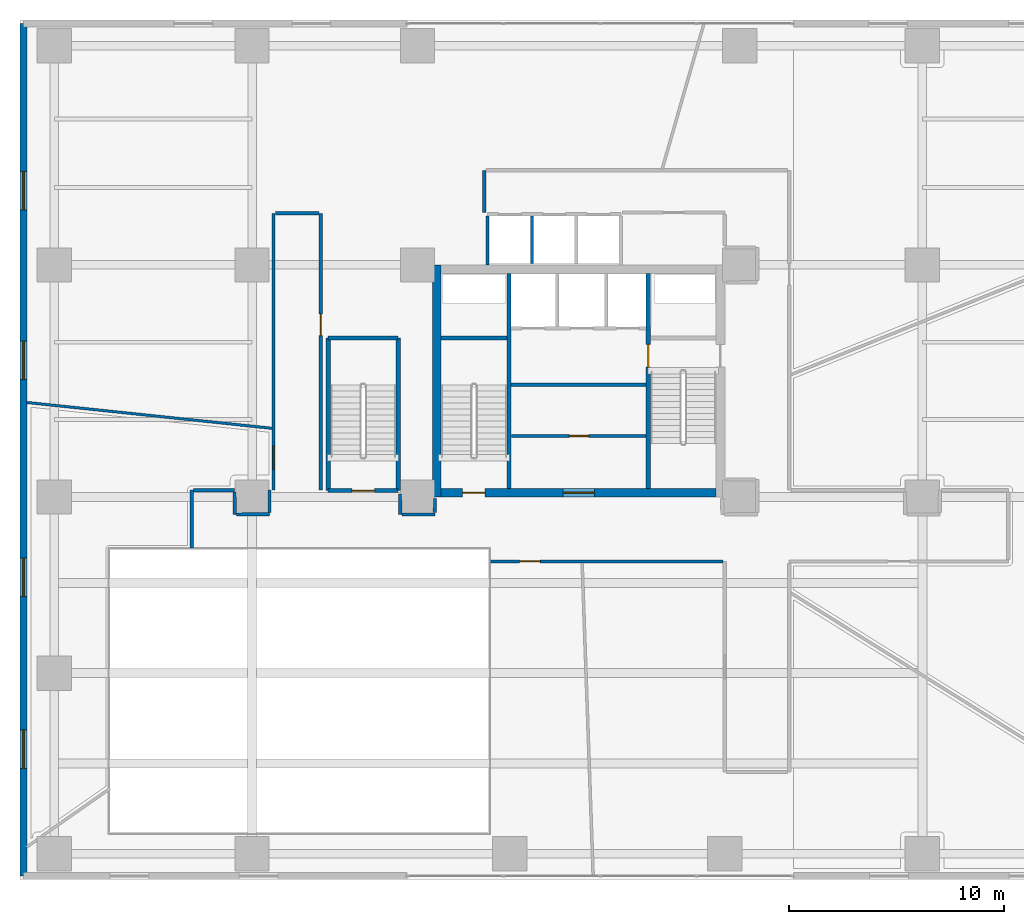
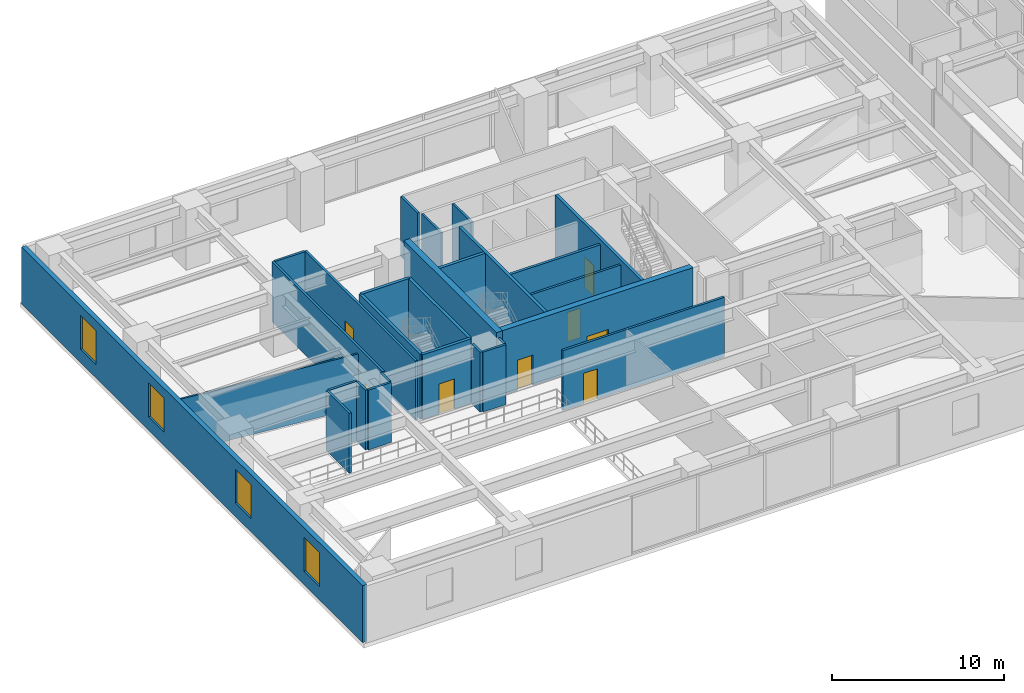
# One storey, part 17 of 25: 28 walls, 8 doors, 4 windows, 12 openings.
"""IFC4 building model written with IfcOpenShell, lengths in metres."""

from ifc_helpers import new_model, si_unit, direction, frame, frame_2d, origin, place, context, subcontext, project, spatial, rectangle, extrude, source, transform, mapped, material, layer, layer_set, type_object, type_shapes, element, fill, save


model = new_model("IFC4")

# Units and contexts
model_context = context("Model", 3, precision=1e-05, world=origin(), true_north=direction((0.0, 1.0)))
body_context = subcontext(model_context, "Body", "Model", "MODEL_VIEW")
ifc_project = project(units=[si_unit("LENGTHUNIT", "METRE"), si_unit("AREAUNIT", "SQUARE_METRE"), si_unit("VOLUMEUNIT", "CUBIC_METRE"), si_unit("PLANEANGLEUNIT", "RADIAN"), si_unit("MASSUNIT", "GRAM", prefix="KILO")], contexts=[model_context])

# Site, building, storey
site_placement = place(None, origin())
site = spatial("IfcSite", under=ifc_project, at=site_placement, CompositionType="ELEMENT")
building_placement = place(site_placement, origin())
building = spatial("IfcBuilding", under=site, at=building_placement, Name="Talar Marvaseh", CompositionType="ELEMENT")
storey_placement = place(building_placement, frame((0.0, 0.0, 14.39990234375)))
storey = spatial("IfcBuildingStorey", under=building, at=storey_placement, Name="L03", CompositionType="ELEMENT", Elevation=14.39990234375)

# Wall, openings, windows
ifc_material_1 = material(Name="Precast concrete C45/55", Category="concrete")
ifc_layer_1 = layer(ifc_material_1, 0.31005859375)
ifc_layer_set_1 = layer_set([ifc_layer_1], Name="Precast concrete C45/55")
wall_type_1 = type_object("IfcWallType", Name="Architectural Precast Limestone Podium Facade Wall 310", PredefinedType="SOLIDWALL", material=ifc_layer_set_1)
wall_1_placement = place(storey_placement, frame((0.159912109375, 8.159912109375, 0.0), z_axis=(0.0, 0.0, 1.0), x_axis=(0.0, 1.0, 0.0)))
wall_1 = element("IfcWall", 1, at=wall_1_placement, inside=storey, type_object=wall_type_1, Name="L03 Podium West Facade Wall", PredefinedType="SOLIDWALL", context=body_context, shape_type="SweptSolid", body=[
    extrude(rectangle(XDim=39.68017578125, YDim=0.31005859375, at=frame_2d((19.840087890625, 0.0))), origin(), (0.0, 0.0, 1.0), 4.050048828125),
])
opening_1_placement = place(wall_1_placement, frame((5.0, 0.0, 0.949951171875)))
opening_1 = element("IfcOpeningElement", 2, at=opening_1_placement, cuts=wall_1, Name="Opening WN-POD18", PredefinedType="OPENING", context=body_context, shape_type="SweptSolid", body=[
    extrude(rectangle(XDim=1.800048828125, YDim=2.39990234375, at=frame_2d((0.89990234375, 1.199951171875))), frame((0.0, 0.1650390625, 0.0), z_axis=(0.0, -1.0, 0.0), x_axis=(1.0, 0.0, 0.0)), (0.0, 0.0, 1.0), 0.330078125),
])
opening_2_placement = place(wall_1_placement, frame((13.0, 0.0, 0.949951171875)))
opening_2 = element("IfcOpeningElement", 3, at=opening_2_placement, cuts=wall_1, Name="Opening WN-POD18", PredefinedType="OPENING", context=body_context, shape_type="SweptSolid", body=[
    extrude(rectangle(XDim=1.800048828125, YDim=2.39990234375, at=frame_2d((0.89990234375, 1.199951171875))), frame((0.0, 0.1650390625, 0.0), z_axis=(0.0, -1.0, 0.0), x_axis=(1.0, 0.0, 0.0)), (0.0, 0.0, 1.0), 0.330078125),
])
opening_3_placement = place(wall_1_placement, frame((23.10009765625, 0.0, 0.949951171875)))
opening_3 = element("IfcOpeningElement", 4, at=opening_3_placement, cuts=wall_1, Name="Opening WN-POD18", PredefinedType="OPENING", context=body_context, shape_type="SweptSolid", body=[
    extrude(rectangle(XDim=1.800048828125, YDim=2.39990234375, at=frame_2d((0.89990234375, 1.199951171875))), frame((0.0, 0.1650390625, 0.0), z_axis=(0.0, -1.0, 0.0), x_axis=(1.0, 0.0, 0.0)), (0.0, 0.0, 1.0), 0.330078125),
])
opening_4_placement = place(wall_1_placement, frame((31.0, 0.0, 0.949951171875)))
opening_4 = element("IfcOpeningElement", 5, at=opening_4_placement, cuts=wall_1, Name="Opening WN-POD18", PredefinedType="OPENING", context=body_context, shape_type="SweptSolid", body=[
    extrude(rectangle(XDim=1.800048828125, YDim=2.39990234375, at=frame_2d((0.89990234375, 1.199951171875))), frame((0.0, 0.1650390625, 0.0), z_axis=(0.0, -1.0, 0.0), x_axis=(1.0, 0.0, 0.0)), (0.0, 0.0, 1.0), 0.330078125),
])
ifc_material_2 = material(Name="Laminated Low-E Solar Glass", Category="glass")
window_type = type_object("IfcWindowType", Name="Podium Recessed Punched Solar Window 1800x2400", PartitioningType="SINGLE_PANEL", PredefinedType="WINDOW", material=ifc_material_2)
shared_shape_1 = source(origin(), body_context, "Body", "SweptSolid", [
    extrude(rectangle(XDim=1.800048828125, YDim=2.39990234375, at=frame_2d((0.89990234375, 1.199951171875))), frame((0.0, 0.030029296875, 0.0), z_axis=(0.0, -1.0, 0.0), x_axis=(1.0, 0.0, 0.0)), (0.0, 0.0, 1.0), 0.06005859375),
])
type_shapes(window_type, [shared_shape_1])
window_1_placement = place(opening_1_placement, origin())
window_1 = element("IfcWindow", 6, at=window_1_placement, inside=storey, type_object=window_type, Name="L03 Podium Solar Window", OverallHeight=2.39990234375, OverallWidth=1.800048828125, PartitioningType="SINGLE_PANEL", PredefinedType="WINDOW", context=body_context, shape_type="MappedRepresentation", body=[
    mapped(shared_shape_1, transform((0.0, 0.0, 0.0), x_axis=(1.0, 0.0, 0.0), y_axis=(0.0, 1.0, 0.0), z_axis=(0.0, 0.0, 1.0), scale=1.0)),
])
fill(opening_1, window_1)
window_2_placement = place(opening_2_placement, origin())
window_2 = element("IfcWindow", 7, at=window_2_placement, inside=storey, type_object=window_type, Name="L03 Podium Solar Window", OverallHeight=2.39990234375, OverallWidth=1.800048828125, PartitioningType="SINGLE_PANEL", PredefinedType="WINDOW", context=body_context, shape_type="MappedRepresentation", body=[
    mapped(shared_shape_1, transform((0.0, 0.0, 0.0), x_axis=(1.0, 0.0, 0.0), y_axis=(0.0, 1.0, 0.0), z_axis=(0.0, 0.0, 1.0), scale=1.0)),
])
fill(opening_2, window_2)
window_3_placement = place(opening_3_placement, origin())
window_3 = element("IfcWindow", 8, at=window_3_placement, inside=storey, type_object=window_type, Name="L03 Podium Solar Window", OverallHeight=2.39990234375, OverallWidth=1.800048828125, PartitioningType="SINGLE_PANEL", PredefinedType="WINDOW", context=body_context, shape_type="MappedRepresentation", body=[
    mapped(shared_shape_1, transform((0.0, 0.0, 0.0), x_axis=(1.0, 0.0, 0.0), y_axis=(0.0, 1.0, 0.0), z_axis=(0.0, 0.0, 1.0), scale=1.0)),
])
fill(opening_3, window_3)
window_4_placement = place(opening_4_placement, origin())
window_4 = element("IfcWindow", 9, at=window_4_placement, inside=storey, type_object=window_type, Name="L03 Podium Solar Window", OverallHeight=2.39990234375, OverallWidth=1.800048828125, PartitioningType="SINGLE_PANEL", PredefinedType="WINDOW", context=body_context, shape_type="MappedRepresentation", body=[
    mapped(shared_shape_1, transform((0.0, 0.0, 0.0), x_axis=(1.0, 0.0, 0.0), y_axis=(0.0, 1.0, 0.0), z_axis=(0.0, 0.0, 1.0), scale=1.0)),
])
fill(opening_4, window_4)

# Wall, opening, door
ifc_material_3 = material(Name="Gypsum Board Partition Assembly")
ifc_layer_2 = layer(ifc_material_3, 0.155029296875)
ifc_layer_set_2 = layer_set([ifc_layer_2], Name="Gypsum Board Partition Assembly")
wall_type_2 = type_object("IfcWallType", Name="Corridor Fire-Rated Acoustic Partition 155", PredefinedType="PARTITIONING", material=ifc_layer_set_2)
wall_2_placement = place(storey_placement, frame((22.865966796875, 28.639892578125, 0.0), z_axis=(0.0, 0.0, 1.0), x_axis=(1.0, 0.0, 0.0)))
wall_2 = element("IfcWall", 10, at=wall_2_placement, inside=storey, type_object=wall_type_2, Name="L03 Core BOH Partition", PredefinedType="PARTITIONING", context=body_context, shape_type="SweptSolid", body=[
    extrude(rectangle(XDim=6.26806640625, YDim=0.155029296875, at=frame_2d((3.134033203125, 0.0))), origin(), (0.0, 0.0, 1.0), 4.25),
])
opening_5_placement = place(wall_2_placement, frame((2.699951171875, 0.0, 0.0)))
opening_5 = element("IfcOpeningElement", 11, at=opening_5_placement, cuts=wall_2, Name="Opening DR-BOH090", PredefinedType="OPENING", context=body_context, shape_type="SweptSolid", body=[
    extrude(rectangle(XDim=0.89990234375, YDim=2.10009765625, at=frame_2d((0.449951171875, 1.050048828125))), frame((0.0, 0.08740234375, 0.0), z_axis=(0.0, -1.0, 0.0), x_axis=(1.0, 0.0, 0.0)), (0.0, 0.0, 1.0), 0.175048828125),
])
ifc_material_4 = material(Name="Fire-Rated Steel Door Leaf", Category="steel")
door_type_1 = type_object("IfcDoorType", Name="Core Back-of-House Service Door 900x2100", OperationType="NOTDEFINED", PredefinedType="DOOR", material=ifc_material_4)
shared_shape_2 = source(origin(), body_context, "Body", "SweptSolid", [
    extrude(rectangle(XDim=0.89990234375, YDim=2.10009765625, at=frame_2d((0.449951171875, 1.050048828125))), frame((0.0, 0.02490234375, 0.0), z_axis=(0.0, -1.0, 0.0), x_axis=(1.0, 0.0, 0.0)), (0.0, 0.0, 1.0), 0.050048828125),
])
type_shapes(door_type_1, [shared_shape_2])
door_1_placement = place(opening_5_placement, origin())
door_1 = element("IfcDoor", 12, at=door_1_placement, inside=storey, type_object=door_type_1, Name="L03 Store Core Central Archive Door", OperationType="SINGLE_SWING_LEFT", OverallHeight=2.10009765625, OverallWidth=0.89990234375, PredefinedType="DOOR", context=body_context, shape_type="MappedRepresentation", body=[
    mapped(shared_shape_2, transform((0.0, 0.0, 0.0), x_axis=(1.0, 0.0, 0.0), y_axis=(0.0, 1.0, 0.0), z_axis=(0.0, 0.0, 1.0), scale=1.0)),
])
fill(opening_5, door_1)

wall_3_placement = place(storey_placement, frame((32.716552734375, 22.800048828125, 0.0), z_axis=(0.0, 0.0, 1.0), x_axis=(-1.0, 0.0, 0.0)))
wall_3 = element("IfcWall", 13, at=wall_3_placement, inside=storey, type_object=wall_type_2, Name="L03 Interior Partition Wall", PredefinedType="PARTITIONING", context=body_context, shape_type="SweptSolid", body=[
    extrude(rectangle(XDim=10.846435546875, YDim=0.155029296875, at=frame_2d((5.42333984375, 0.0))), origin(), (0.0, 0.0, 1.0), 4.25),
])
opening_6_placement = place(wall_3_placement, frame((8.509033203125, 0.0, 0.0)))
opening_6 = element("IfcOpeningElement", 14, at=opening_6_placement, cuts=wall_3, Name="Opening DR-WC095", PredefinedType="OPENING", context=body_context, shape_type="SweptSolid", body=[
    extrude(rectangle(XDim=0.949951171875, YDim=2.14990234375, at=frame_2d((0.47509765625, 1.074951171875))), frame((0.0, 0.08740234375, 0.0), z_axis=(0.0, -1.0, 0.0), x_axis=(1.0, 0.0, 0.0)), (0.0, 0.0, 1.0), 0.175048828125),
])
ifc_material_5 = material(Name="Acoustic Engineered Oak Timber", Category="wood")
door_type_2 = type_object("IfcDoorType", Name="Washroom and Service Room Door 950x2150", OperationType="NOTDEFINED", PredefinedType="DOOR", material=ifc_material_5)
shared_shape_3 = source(origin(), body_context, "Body", "SweptSolid", [
    extrude(rectangle(XDim=0.949951171875, YDim=2.14990234375, at=frame_2d((0.47509765625, 1.074951171875))), frame((0.0, 0.02490234375, 0.0), z_axis=(0.0, -1.0, 0.0), x_axis=(1.0, 0.0, 0.0)), (0.0, 0.0, 1.0), 0.050048828125),
])
type_shapes(door_type_2, [shared_shape_3])
door_2_placement = place(opening_6_placement, origin())
door_2 = element("IfcDoor", 15, at=door_2_placement, inside=storey, type_object=door_type_2, Name="L03 Accessible WC Block Door", OperationType="SINGLE_SWING_LEFT", OverallHeight=2.14990234375, OverallWidth=0.949951171875, PredefinedType="DOOR", context=body_context, shape_type="MappedRepresentation", body=[
    mapped(shared_shape_3, transform((0.0, 0.0, 0.0), x_axis=(1.0, 0.0, 0.0), y_axis=(0.0, 1.0, 0.0), z_axis=(0.0, 0.0, 1.0), scale=1.0)),
])
fill(opening_6, door_2)

wall_4_placement = place(storey_placement, frame((11.800048828125, 26.1201171875, 0.0), z_axis=(0.0, 0.0, 1.0), x_axis=(0.0, 1.0, 0.0)))
wall_4 = element("IfcWall", 16, at=wall_4_placement, inside=storey, type_object=wall_type_2, Name="L03 Interior Partition Wall", PredefinedType="PARTITIONING", context=body_context, shape_type="SweptSolid", body=[
    extrude(rectangle(XDim=12.8798828125, YDim=0.155029296875, at=frame_2d((6.43994140625, 0.0))), origin(), (0.0, 0.0, 1.0), 4.25),
])
opening_7_placement = place(wall_4_placement, frame((0.95654296875, 0.0, 0.0)))
opening_7 = element("IfcOpeningElement", 17, at=opening_7_placement, cuts=wall_4, Name="Opening DR-RM110", PredefinedType="OPENING", context=body_context, shape_type="SweptSolid", body=[
    extrude(rectangle(XDim=1.10009765625, YDim=2.199951171875, at=frame_2d((0.550048828125, 1.10009765625))), frame((0.0, 0.08740234375, 0.0), z_axis=(0.0, -1.0, 0.0), x_axis=(1.0, 0.0, 0.0)), (0.0, 0.0, 1.0), 0.175048828125),
])
door_type_3 = type_object("IfcDoorType", Name="Assembly and Reading Hall Door 1100x2200", OperationType="NOTDEFINED", PredefinedType="DOOR", material=ifc_material_5)
shared_shape_4 = source(origin(), body_context, "Body", "SweptSolid", [
    extrude(rectangle(XDim=1.10009765625, YDim=2.199951171875, at=frame_2d((0.550048828125, 1.10009765625))), frame((0.0, 0.02490234375, 0.0), z_axis=(0.0, -1.0, 0.0), x_axis=(1.0, 0.0, 0.0)), (0.0, 0.0, 1.0), 0.050048828125),
])
type_shapes(door_type_3, [shared_shape_4])
door_3_placement = place(opening_7_placement, origin())
door_3 = element("IfcDoor", 18, at=door_3_placement, inside=storey, type_object=door_type_3, Name="L03 Persian Decorative Arts Gallery Door", OperationType="SINGLE_SWING_RIGHT", OverallHeight=2.199951171875, OverallWidth=1.10009765625, PredefinedType="DOOR", context=body_context, shape_type="MappedRepresentation", body=[
    mapped(shared_shape_4, transform((0.0, 0.0, 0.0), x_axis=(1.0, 0.0, 0.0), y_axis=(0.0, 1.0, 0.0), z_axis=(0.0, 0.0, 1.0), scale=1.0)),
])
fill(opening_7, door_3)

wall_5_placement = place(storey_placement, frame((14.0, 39.0, 0.0), z_axis=(0.0, 0.0, 1.0), x_axis=(0.0, -1.0, 0.0)))
wall_5 = element("IfcWall", 19, at=wall_5_placement, inside=storey, type_object=wall_type_2, Name="L03 Interior Partition Wall", PredefinedType="PARTITIONING", context=body_context, shape_type="SweptSolid", body=[
    extrude(rectangle(XDim=12.8798828125, YDim=0.155029296875, at=frame_2d((6.43994140625, 0.0))), origin(), (0.0, 0.0, 1.0), 4.25),
])
opening_8_placement = place(wall_5_placement, frame((4.689697265625, 0.0, 0.0)))
opening_8 = element("IfcOpeningElement", 20, at=opening_8_placement, cuts=wall_5, Name="Opening DR-RM100", PredefinedType="OPENING", context=body_context, shape_type="SweptSolid", body=[
    extrude(rectangle(XDim=1.0, YDim=2.14990234375, at=frame_2d((0.5, 1.074951171875))), frame((0.0, 0.08740234375, 0.0), z_axis=(0.0, -1.0, 0.0), x_axis=(1.0, 0.0, 0.0)), (0.0, 0.0, 1.0), 0.175048828125),
])
door_type_4 = type_object("IfcDoorType", Name="Corridor Fire-Rated Gallery Door 1000x2150", OperationType="NOTDEFINED", PredefinedType="DOOR", material=ifc_material_5)
shared_shape_5 = source(origin(), body_context, "Body", "SweptSolid", [
    extrude(rectangle(XDim=1.0, YDim=2.14990234375, at=frame_2d((0.5, 1.074951171875))), frame((0.0, 0.02490234375, 0.0), z_axis=(0.0, -1.0, 0.0), x_axis=(1.0, 0.0, 0.0)), (0.0, 0.0, 1.0), 0.050048828125),
])
type_shapes(door_type_4, [shared_shape_5])
door_4_placement = place(opening_8_placement, origin())
door_4 = element("IfcDoor", 21, at=door_4_placement, inside=storey, type_object=door_type_4, Name="L03 Curatorial Seminar Room Door", OperationType="SINGLE_SWING_RIGHT", OverallHeight=2.14990234375, OverallWidth=1.0, PredefinedType="DOOR", context=body_context, shape_type="MappedRepresentation", body=[
    mapped(shared_shape_5, transform((0.0, 0.0, 0.0), x_axis=(1.0, 0.0, 0.0), y_axis=(0.0, 1.0, 0.0), z_axis=(0.0, 0.0, 1.0), scale=1.0)),
])
fill(opening_8, door_4)

# Walls
wall_6_placement = place(storey_placement, frame((8.0, 23.419921875, 0.0), z_axis=(0.0, 0.0, 1.0), x_axis=(0.0, 1.0, 0.0)))
element("IfcWall", 22, at=wall_6_placement, inside=storey, type_object=wall_type_2, Name="L03 Interior Partition Wall", PredefinedType="PARTITIONING", context=body_context, shape_type="SweptSolid", body=[
    extrude(rectangle(XDim=2.7001953125, YDim=0.155029296875, at=frame_2d((1.35009765625, 0.0))), origin(), (0.0, 0.0, 1.0), 4.25),
])
wall_7_placement = place(storey_placement, frame((8.08349609375, 26.1201171875, 0.0), z_axis=(0.0, 0.0, 1.0), x_axis=(1.0, 0.0, 0.0)))
element("IfcWall", 23, at=wall_7_placement, inside=storey, type_object=wall_type_2, Name="L03 Interior Partition Wall", PredefinedType="PARTITIONING", context=body_context, shape_type="SweptSolid", body=[
    extrude(rectangle(XDim=1.901611328125, YDim=0.155029296875, at=frame_2d((0.95068359375, 0.0))), origin(), (0.0, 0.0, 1.0), 4.25),
])
wall_8_placement = place(storey_placement, frame((9.985595703125, 26.03662109375, 0.0), z_axis=(0.0, 0.0, 1.0), x_axis=(0.005817914102, -0.999983075795, 0.0)))
element("IfcWall", 24, at=wall_8_placement, inside=storey, type_object=wall_type_2, Name="L03 Interior Partition Wall", PredefinedType="PARTITIONING", context=body_context, shape_type="SweptSolid", body=[
    extrude(rectangle(XDim=1.049072265625, YDim=0.155029296875, at=frame_2d((0.5244140625, 0.0))), origin(), (0.0, 0.0, 1.0), 4.25),
])
wall_9_placement = place(storey_placement, frame((10.0751953125, 24.988037109375, 0.0), z_axis=(0.0, 0.0, 1.0), x_axis=(0.99998278709, 0.005867326851, 0.0)))
element("IfcWall", 25, at=wall_9_placement, inside=storey, type_object=wall_type_2, Name="L03 Interior Partition Wall", PredefinedType="PARTITIONING", context=body_context, shape_type="SweptSolid", body=[
    extrude(rectangle(XDim=1.53955078125, YDim=0.155029296875, at=frame_2d((0.769775390625, 0.0))), origin(), (0.0, 0.0, 1.0), 4.25),
])
wall_10_placement = place(storey_placement, frame((11.61474609375, 25.08056640625, 0.0), z_axis=(0.0, 0.0, 1.0), x_axis=(0.000234852037, 0.999999972422, 0.0)))
element("IfcWall", 26, at=wall_10_placement, inside=storey, type_object=wall_type_2, Name="L03 Interior Partition Wall", PredefinedType="PARTITIONING", context=body_context, shape_type="SweptSolid", body=[
    extrude(rectangle(XDim=1.03955078125, YDim=0.155029296875, at=frame_2d((0.519775390625, 0.0))), origin(), (0.0, 0.0, 1.0), 4.25),
])
wall_11_placement = place(storey_placement, frame((11.883544921875, 39.0, 0.0), z_axis=(0.0, 0.0, 1.0), x_axis=(1.0, 0.0, 0.0)))
element("IfcWall", 27, at=wall_11_placement, inside=storey, type_object=wall_type_2, Name="L03 Interior Partition Wall", PredefinedType="PARTITIONING", context=body_context, shape_type="SweptSolid", body=[
    extrude(rectangle(XDim=2.032958984375, YDim=0.155029296875, at=frame_2d((1.0166015625, 0.0))), origin(), (0.0, 0.0, 1.0), 4.25),
])
wall_12_placement = place(storey_placement, frame((17.68505859375, 25.949951171875, 0.0), z_axis=(0.0, 0.0, 1.0), x_axis=(0.013915656501, -0.999903172564, 0.0)))
element("IfcWall", 28, at=wall_12_placement, inside=storey, type_object=wall_type_2, Name="L03 Interior Partition Wall", PredefinedType="PARTITIONING", context=body_context, shape_type="SweptSolid", body=[
    extrude(rectangle(XDim=0.96484375, YDim=0.155029296875, at=frame_2d((0.482421875, 0.0))), origin(), (0.0, 0.0, 1.0), 4.25),
])
wall_13_placement = place(storey_placement, frame((17.781982421875, 24.985107421875, 0.0), z_axis=(0.0, 0.0, 1.0), x_axis=(0.999999372198, 0.001120537155, 0.0)))
element("IfcWall", 29, at=wall_13_placement, inside=storey, type_object=wall_type_2, Name="L03 Interior Partition Wall", PredefinedType="PARTITIONING", context=body_context, shape_type="SweptSolid", body=[
    extrude(rectangle(XDim=1.525146484375, YDim=0.155029296875, at=frame_2d((0.7626953125, 0.0))), origin(), (0.0, 0.0, 1.0), 4.25),
])
wall_14_placement = place(storey_placement, frame((19.30810546875, 25.0703125, 0.0), z_axis=(0.0, 0.0, 1.0), x_axis=(0.010362137944, 0.999946311607, 0.0)))
element("IfcWall", 30, at=wall_14_placement, inside=storey, type_object=wall_type_2, Name="L03 Interior Partition Wall", PredefinedType="PARTITIONING", context=body_context, shape_type="SweptSolid", body=[
    extrude(rectangle(XDim=0.65966796875, YDim=0.155029296875, at=frame_2d((0.329833984375, 0.0))), origin(), (0.0, 0.0, 1.0), 4.25),
])
wall_15_placement = place(storey_placement, frame((21.60009765625, 39.0400390625, 0.0), z_axis=(0.0, 0.0, 1.0), x_axis=(0.0, 1.0, 0.0)))
element("IfcWall", 31, at=wall_15_placement, inside=storey, type_object=wall_type_2, Name="L03 Interior Partition Wall", PredefinedType="PARTITIONING", context=body_context, shape_type="SweptSolid", body=[
    extrude(rectangle(XDim=1.9599609375, YDim=0.155029296875, at=frame_2d((0.97998046875, 0.0))), origin(), (0.0, 0.0, 1.0), 4.25),
])
ifc_layer_3 = layer(ifc_material_3, 0.1201171875)
ifc_layer_set_3 = layer_set([ifc_layer_3], Name="Gypsum Board Partition Assembly")
wall_type_3 = type_object("IfcWallType", Name="Demountable Studio Room Partition 120", PredefinedType="PARTITIONING", material=ifc_layer_set_3)
wall_16_placement = place(storey_placement, frame((0.31005859375, 30.199951171875, 0.0), z_axis=(0.0, 0.0, 1.0), x_axis=(0.994501260159, -0.104724608104, 0.0)))
element("IfcWall", 32, at=wall_16_placement, inside=storey, type_object=wall_type_3, Name="L03 Interior Partition Wall", PredefinedType="PARTITIONING", context=body_context, shape_type="SweptSolid", body=[
    extrude(rectangle(XDim=11.488525390625, YDim=0.1201171875, at=frame_2d((5.744140625, 0.0))), origin(), (0.0, 0.0, 1.0), 3.81201171875),
])
ifc_layer_4 = layer(ifc_material_1, 0.14501953125)
ifc_layer_set_4 = layer_set([ifc_layer_4], Name="Precast concrete C45/55")
wall_type_4 = type_object("IfcWallType", Name="Fire-Rated Lift Divider Wall 145", PredefinedType="SOLIDWALL", material=ifc_layer_set_4)
wall_17_placement = place(storey_placement, frame((21.760009765625, 36.60009765625, 0.0), z_axis=(0.0, 0.0, 1.0), x_axis=(0.0, 1.0, 0.0)))
element("IfcWall", 33, at=wall_17_placement, inside=storey, type_object=wall_type_4, Name="L03 Low-Rise Bank West Wall", PredefinedType="SOLIDWALL", context=body_context, shape_type="SweptSolid", body=[
    extrude(rectangle(XDim=2.266357421875, YDim=0.14501953125, at=frame_2d((1.13330078125, 0.0))), origin(), (0.0, 0.0, 1.0), 4.25),
])
wall_18_placement = place(storey_placement, frame((23.830078125, 36.659912109375, 0.0), z_axis=(0.0, 0.0, 1.0), x_axis=(0.0, 1.0, 0.0)))
element("IfcWall", 34, at=wall_18_placement, inside=storey, type_object=wall_type_4, Name="L03 PL-L1/PL-L2 Divider", PredefinedType="SOLIDWALL", context=body_context, shape_type="SweptSolid", body=[
    extrude(rectangle(XDim=2.20654296875, YDim=0.14501953125, at=frame_2d((1.103271484375, 0.0))), origin(), (0.0, 0.0, 1.0), 4.25),
])
ifc_layer_5 = layer(ifc_material_1, 0.175048828125)
ifc_layer_set_5 = layer_set([ifc_layer_5], Name="Precast concrete C45/55")
wall_type_5 = type_object("IfcWallType", Name="Fire-Rated Lift Hoistway Enclosure Wall 175", PredefinedType="SOLIDWALL", material=ifc_layer_set_5)
wall_19_placement = place(storey_placement, frame((22.860107421875, 31.02001953125, 0.0), z_axis=(0.0, 0.0, 1.0), x_axis=(1.0, 0.0, 0.0)))
element("IfcWall", 35, at=wall_19_placement, inside=storey, type_object=wall_type_5, Name="L03 Firefighting Lobby South Smoke Wall", PredefinedType="SOLIDWALL", context=body_context, shape_type="SweptSolid", body=[
    extrude(rectangle(XDim=6.27978515625, YDim=0.175048828125, at=frame_2d((3.139892578125, 0.0))), origin(), (0.0, 0.0, 1.0), 4.25),
])
ifc_material_6 = material(Name="Concrete C70/85", Category="concrete")
ifc_layer_6 = layer(ifc_material_6, 0.39990234375)
ifc_layer_set_6 = layer_set([ifc_layer_6], Name="Concrete C70/85")
wall_type_6 = type_object("IfcWallType", Name="Lower Core Reinforced Concrete Shear Wall 400", PredefinedType="SHEAR", material=ifc_layer_set_6)
wall_20_placement = place(storey_placement, frame((19.39990234375, 25.800048828125, 0.0), z_axis=(0.0, 0.0, 1.0), x_axis=(0.0, 1.0, 0.0)))
element("IfcWall", 36, at=wall_20_placement, inside=storey, type_object=wall_type_6, Name="L03 West Core Shear Wall", PredefinedType="SHEAR", context=body_context, shape_type="SweptSolid", body=[
    extrude(rectangle(XDim=10.800048828125, YDim=0.39990234375, at=frame_2d((5.39990234375, 0.0))), origin(), (0.0, 0.0, 1.0), 4.60009765625),
])

# Wall, openings, doors
wall_21_placement = place(storey_placement, frame((32.39990234375, 26.0, 0.0), z_axis=(0.0, 0.0, 1.0), x_axis=(-1.0, 0.0, 0.0)))
wall_21 = element("IfcWall", 37, at=wall_21_placement, inside=storey, type_object=wall_type_6, Name="L03 South Core Shear Wall", PredefinedType="SHEAR", context=body_context, shape_type="SweptSolid", body=[
    extrude(rectangle(XDim=12.7998046875, YDim=0.39990234375, at=frame_2d((6.39990234375, 0.0))), origin(), (0.0, 0.0, 1.0), 4.60009765625),
])
opening_9_placement = place(wall_21_placement, frame((10.75, 0.0, 0.0)))
opening_9 = element("IfcOpeningElement", 38, at=opening_9_placement, cuts=wall_21, Name="Opening DR-ST105", PredefinedType="OPENING", context=body_context, shape_type="SweptSolid", body=[
    extrude(rectangle(XDim=1.050048828125, YDim=2.14990234375, at=frame_2d((0.52490234375, 1.074951171875))), frame((0.0, 0.2099609375, 0.0), z_axis=(0.0, -1.0, 0.0), x_axis=(1.0, 0.0, 0.0)), (0.0, 0.0, 1.0), 0.419921875),
])
opening_10_placement = place(wall_21_placement, frame((5.669921875, 0.0, 0.0)))
opening_10 = element("IfcOpeningElement", 39, at=opening_10_placement, cuts=wall_21, Name="Opening DR-LBY145", PredefinedType="OPENING", context=body_context, shape_type="SweptSolid", body=[
    extrude(rectangle(XDim=1.449951171875, YDim=2.199951171875, at=frame_2d((0.72509765625, 1.10009765625))), frame((0.0, 0.2099609375, 0.0), z_axis=(0.0, -1.0, 0.0), x_axis=(1.0, 0.0, 0.0)), (0.0, 0.0, 1.0), 0.419921875),
])
door_type_5 = type_object("IfcDoorType", Name="Protected Exit Stair Fire Door 1050x2150", OperationType="NOTDEFINED", PredefinedType="DOOR", material=ifc_material_4)
shared_shape_6 = source(origin(), body_context, "Body", "SweptSolid", [
    extrude(rectangle(XDim=1.050048828125, YDim=2.14990234375, at=frame_2d((0.52490234375, 1.074951171875))), frame((0.0, 0.02490234375, 0.0), z_axis=(0.0, -1.0, 0.0), x_axis=(1.0, 0.0, 0.0)), (0.0, 0.0, 1.0), 0.050048828125),
])
type_shapes(door_type_5, [shared_shape_6])
door_5_placement = place(opening_9_placement, origin())
door_5 = element("IfcDoor", 40, at=door_5_placement, inside=storey, type_object=door_type_5, Name="L03 Stair ST-1 Exit Door", OperationType="SINGLE_SWING_RIGHT", OverallHeight=2.14990234375, OverallWidth=1.050048828125, PredefinedType="DOOR", context=body_context, shape_type="MappedRepresentation", body=[
    mapped(shared_shape_6, transform((0.0, 0.0, 0.0), x_axis=(1.0, 0.0, 0.0), y_axis=(0.0, 1.0, 0.0), z_axis=(0.0, 0.0, 1.0), scale=1.0)),
])
fill(opening_9, door_5)
door_type_6 = type_object("IfcDoorType", Name="Core Lift Lobby Double Smoke Door 1450x2200", OperationType="NOTDEFINED", PredefinedType="DOOR", material=ifc_material_4)
shared_shape_7 = source(origin(), body_context, "Body", "SweptSolid", [
    extrude(rectangle(XDim=1.449951171875, YDim=2.199951171875, at=frame_2d((0.72509765625, 1.10009765625))), frame((0.0, 0.02490234375, 0.0), z_axis=(0.0, -1.0, 0.0), x_axis=(1.0, 0.0, 0.0)), (0.0, 0.0, 1.0), 0.050048828125),
])
type_shapes(door_type_6, [shared_shape_7])
door_6_placement = place(opening_10_placement, origin())
door_6 = element("IfcDoor", 41, at=door_6_placement, inside=storey, type_object=door_type_6, Name="L03 Passenger Lift Lobby Entrance Door", OperationType="DOUBLE_DOOR_SINGLE_SWING", OverallHeight=2.199951171875, OverallWidth=1.449951171875, PredefinedType="DOOR", context=body_context, shape_type="MappedRepresentation", body=[
    mapped(shared_shape_7, transform((0.0, 0.0, 0.0), x_axis=(1.0, 0.0, 0.0), y_axis=(0.0, 1.0, 0.0), z_axis=(0.0, 0.0, 1.0), scale=1.0)),
])
fill(opening_10, door_6)

# Wall
ifc_material_7 = material(Name="Concrete C50/60", Category="concrete")
ifc_layer_7 = layer(ifc_material_7, 0.199951171875)
ifc_layer_set_7 = layer_set([ifc_layer_7], Name="Concrete C50/60")
wall_type_7 = type_object("IfcWallType", Name="Stair Shaft Structural Concrete Shear Wall 200", PredefinedType="SHEAR", material=ifc_layer_set_7)
wall_22_placement = place(storey_placement, frame((22.760009765625, 26.199951171875, 0.0), z_axis=(0.0, 0.0, 1.0), x_axis=(0.0, 1.0, 0.0)))
element("IfcWall", 42, at=wall_22_placement, inside=storey, type_object=wall_type_7, Name="L03 Core West Stair Shear Wall", PredefinedType="SHEAR", context=body_context, shape_type="SweptSolid", body=[
    extrude(rectangle(XDim=10.0, YDim=0.199951171875, at=frame_2d((5.0, 0.0))), origin(), (0.0, 0.0, 1.0), 4.60009765625),
])

# Wall, opening, door
wall_23_placement = place(storey_placement, frame((29.239990234375, 26.199951171875, 0.0), z_axis=(0.0, 0.0, 1.0), x_axis=(0.0, 1.0, 0.0)))
wall_23 = element("IfcWall", 43, at=wall_23_placement, inside=storey, type_object=wall_type_7, Name="L03 Core East Stair Shear Wall", PredefinedType="SHEAR", context=body_context, shape_type="SweptSolid", body=[
    extrude(rectangle(XDim=10.0, YDim=0.199951171875, at=frame_2d((5.0, 0.0))), origin(), (0.0, 0.0, 1.0), 4.60009765625),
])
opening_11_placement = place(wall_23_placement, frame((5.64990234375, 0.0, 0.0)))
opening_11 = element("IfcOpeningElement", 44, at=opening_11_placement, cuts=wall_23, Name="Opening DR-ST105", PredefinedType="OPENING", context=body_context, shape_type="SweptSolid", body=[
    extrude(rectangle(XDim=1.050048828125, YDim=2.14990234375, at=frame_2d((0.52490234375, 1.074951171875))), frame((0.0, 0.10986328125, 0.0), z_axis=(0.0, -1.0, 0.0), x_axis=(1.0, 0.0, 0.0)), (0.0, 0.0, 1.0), 0.219970703125),
])
door_7_placement = place(opening_11_placement, origin())
door_7 = element("IfcDoor", 45, at=door_7_placement, inside=storey, type_object=door_type_5, Name="L03 Firefighting Lobby to Stair ST-2 Door", OperationType="SINGLE_SWING_LEFT", OverallHeight=2.14990234375, OverallWidth=1.050048828125, PredefinedType="DOOR", context=body_context, shape_type="MappedRepresentation", body=[
    mapped(shared_shape_6, transform((0.0, 0.0, 0.0), x_axis=(1.0, 0.0, 0.0), y_axis=(0.0, 1.0, 0.0), z_axis=(0.0, 0.0, 1.0), scale=1.0)),
])
fill(opening_11, door_7)

# Wall
wall_24_placement = place(storey_placement, frame((19.60009765625, 33.199951171875, 0.0), z_axis=(0.0, 0.0, 1.0), x_axis=(1.0, 0.0, 0.0)))
element("IfcWall", 46, at=wall_24_placement, inside=storey, type_object=wall_type_7, Name="L03 Stair ST-1 North Shear Wall", PredefinedType="SHEAR", context=body_context, shape_type="SweptSolid", body=[
    extrude(rectangle(XDim=3.059814453125, YDim=0.199951171875, at=frame_2d((1.52978515625, 0.0))), origin(), (0.0, 0.0, 1.0), 4.60009765625),
])

# Wall, opening, door
wall_25_placement = place(storey_placement, frame((17.60009765625, 26.10009765625, 0.0), z_axis=(0.0, 0.0, 1.0), x_axis=(-1.0, 0.0, 0.0)))
wall_25 = element("IfcWall", 47, at=wall_25_placement, inside=storey, type_object=wall_type_7, Name="L03 Stair ST-3 South Shear Wall", PredefinedType="SHEAR", context=body_context, shape_type="SweptSolid", body=[
    extrude(rectangle(XDim=3.260009765625, YDim=0.199951171875, at=frame_2d((1.6298828125, 0.0))), origin(), (0.0, 0.0, 1.0), 4.60009765625),
])
opening_12_placement = place(wall_25_placement, frame((1.10009765625, 0.0, 0.0)))
opening_12 = element("IfcOpeningElement", 48, at=opening_12_placement, cuts=wall_25, Name="Opening DR-ST105", PredefinedType="OPENING", context=body_context, shape_type="SweptSolid", body=[
    extrude(rectangle(XDim=1.050048828125, YDim=2.14990234375, at=frame_2d((0.52490234375, 1.074951171875))), frame((0.0, 0.10986328125, 0.0), z_axis=(0.0, -1.0, 0.0), x_axis=(1.0, 0.0, 0.0)), (0.0, 0.0, 1.0), 0.219970703125),
])
door_8_placement = place(opening_12_placement, origin())
door_8 = element("IfcDoor", 49, at=door_8_placement, inside=storey, type_object=door_type_5, Name="L03 Stair ST-3 Exit Door", OperationType="SINGLE_SWING_LEFT", OverallHeight=2.14990234375, OverallWidth=1.050048828125, PredefinedType="DOOR", context=body_context, shape_type="MappedRepresentation", body=[
    mapped(shared_shape_6, transform((0.0, 0.0, 0.0), x_axis=(1.0, 0.0, 0.0), y_axis=(0.0, 1.0, 0.0), z_axis=(0.0, 0.0, 1.0), scale=1.0)),
])
fill(opening_12, door_8)

# Walls
wall_26_placement = place(storey_placement, frame((14.340087890625, 33.199951171875, 0.0), z_axis=(0.0, 0.0, 1.0), x_axis=(1.0, 0.0, 0.0)))
element("IfcWall", 50, at=wall_26_placement, inside=storey, type_object=wall_type_7, Name="L03 Stair ST-3 North Shear Wall", PredefinedType="SHEAR", context=body_context, shape_type="SweptSolid", body=[
    extrude(rectangle(XDim=3.260009765625, YDim=0.199951171875, at=frame_2d((1.6298828125, 0.0))), origin(), (0.0, 0.0, 1.0), 4.60009765625),
])
for number, where, z_axis, x_axis, name in (
    (51, (14.340087890625, 26.10009765625, 0.0), (0.0, 0.0, 1.0), (0.0, 1.0, 0.0), "L03 Stair ST-3 West Shear Wall"),
    (52, (17.60009765625, 26.10009765625, 0.0), (0.0, 0.0, 1.0), (0.0, 1.0, 0.0), "L03 Stair ST-3 East Shear Wall"),
):
    element("IfcWall", number, at=place(storey_placement, frame(where, z_axis=z_axis, x_axis=x_axis)), inside=storey, type_object=wall_type_7, Name=name, PredefinedType="SHEAR", context=body_context, shape_type="SweptSolid", body=[
        extrude(rectangle(XDim=7.099853515625, YDim=0.199951171875, at=frame_2d((3.5498046875, 0.0))), origin(), (0.0, 0.0, 1.0), 4.60009765625),
    ])

save(model, "model.ifc")
